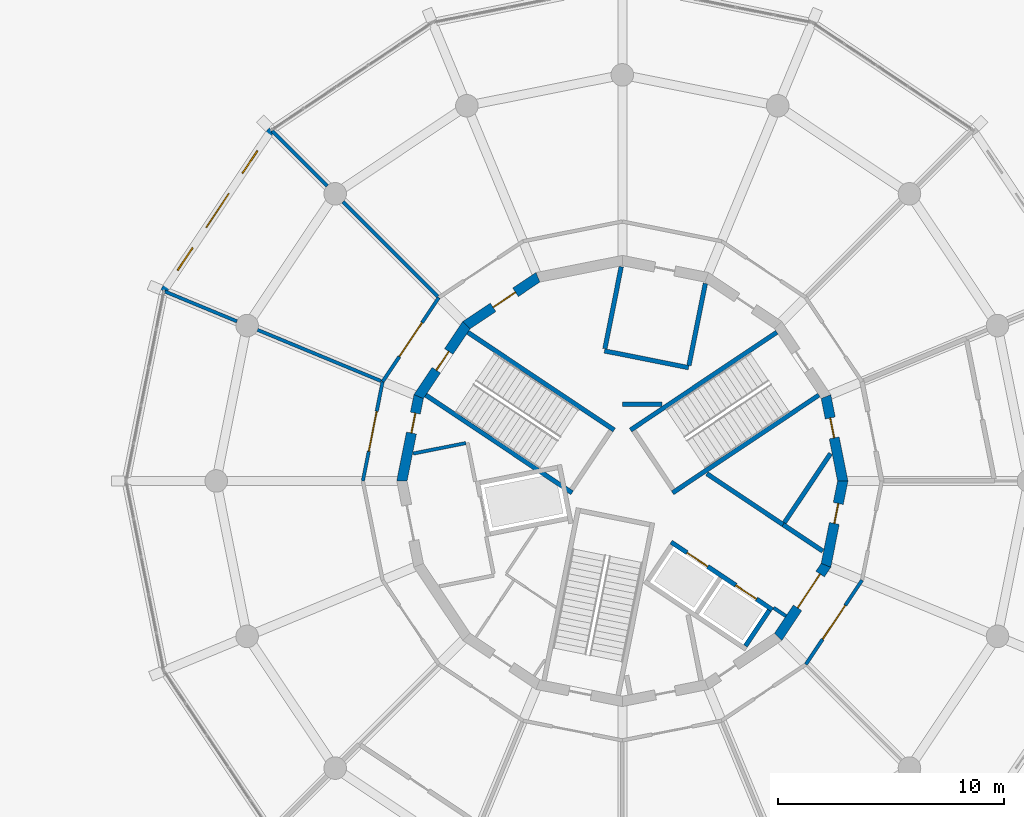
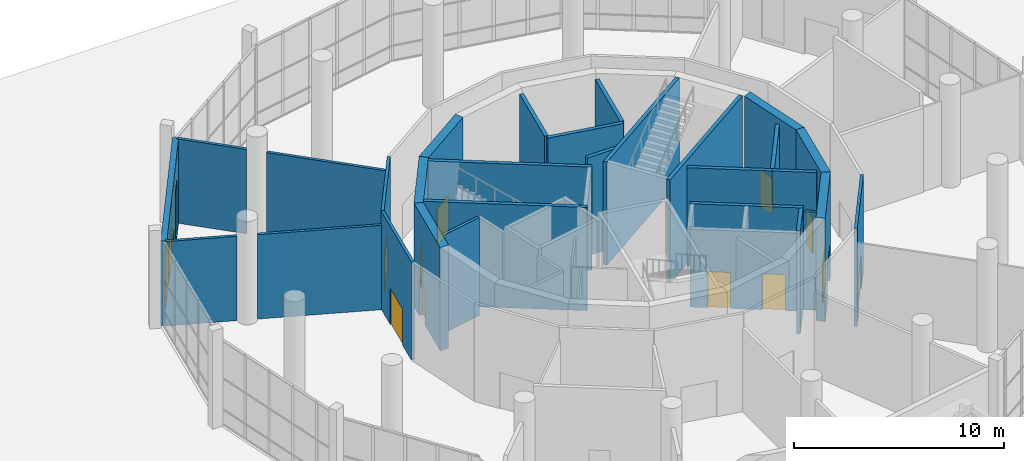
# One storey, part 164 of 226: 29 walls, 12 doors, 2 windows, 14 openings.
"""IFC4 building model written with IfcOpenShell, lengths in metres."""

from ifc_helpers import new_model, si_unit, direction, frame, frame_2d, origin, place, context, subcontext, project, spatial, polyline, rectangle, outline, extrude, material, layer, layer_set, type_object, element, fill, save


model = new_model("IFC4")

# Units and contexts
model_context = context("Model", 3, precision=1e-05, world=origin(), true_north=direction((0.0, 1.0)))
body_context = subcontext(model_context, "Body", "Model", "MODEL_VIEW")
ifc_project = project(units=[si_unit("LENGTHUNIT", "METRE"), si_unit("AREAUNIT", "SQUARE_METRE"), si_unit("VOLUMEUNIT", "CUBIC_METRE"), si_unit("PLANEANGLEUNIT", "RADIAN"), si_unit("MASSUNIT", "GRAM", prefix="KILO")], contexts=[model_context])

# Site, building, storey
site_placement = place(None, origin())
site = spatial("IfcSite", under=ifc_project, at=site_placement, CompositionType="ELEMENT")
building_placement = place(site_placement, origin())
building = spatial("IfcBuilding", under=site, at=building_placement, Name="Ceibo Conservatory and Research Tower", CompositionType="ELEMENT")
storey_placement = place(building_placement, origin())
storey = spatial("IfcBuildingStorey", under=building, at=storey_placement, Name="L00", CompositionType="ELEMENT", Elevation=0.0)

# Wall, opening, door
ifc_material_1 = material(Name="Concrete C40/50", Category="concrete")
ifc_layer_1 = layer(ifc_material_1, 0.449951171875)
ifc_layer_set_1 = layer_set([ifc_layer_1], Name="Concrete C40/50")
wall_type_1 = type_object("IfcWallType", Name="Core wall 450 C40", PredefinedType="SHEAR", material=ifc_layer_set_1)
wall_1_placement = place(storey_placement, frame((57.7705078125, 120.0, 0.0), z_axis=(0.0, 0.0, 1.0), x_axis=(-0.195069197673, 0.98078948206, 0.0)))
wall_1 = element("IfcWall", 1, at=wall_1_placement, inside=storey, type_object=wall_type_1, Name="Core wall L00 01", PredefinedType="SHEAR", context=body_context, shape_type="SweptSolid", body=[
    extrude(outline(polyline([(-0.044677734375, -0.22509765625), (3.85693359375, -0.22509765625), (3.767578125, 0.22509765625), (0.044677734375, 0.22509765625), (-0.044677734375, -0.22509765625)])), origin(), (0.0, 0.0, 1.0), 6.0),
])
opening_1_placement = place(wall_1_placement, frame((1.944580078125, 0.0, 0.0)))
opening_1 = element("IfcOpeningElement", 2, at=opening_1_placement, cuts=wall_1, Name="Opening C00-04", PredefinedType="OPENING", context=body_context, shape_type="SweptSolid", body=[
    extrude(rectangle(XDim=0.89990234375, YDim=2.10009765625, at=frame_2d((0.449951171875, 1.050048828125))), frame((0.0, 0.23486328125, 0.0), z_axis=(0.0, -1.0, 0.0), x_axis=(1.0, 0.0, 0.0)), (0.0, 0.0, 1.0), 0.469970703125),
])
ifc_material_2 = material(Name="Galvanised sheet steel DX51D", Category="steel")
door_type_1 = type_object("IfcDoorType", Name="Riser door 900x2100 EI 60 (right hand)", OperationType="SINGLE_SWING_RIGHT", PredefinedType="DOOR", material=ifc_material_2)
door_1_placement = place(opening_1_placement, origin())
door_1 = element("IfcDoor", 3, at=door_1_placement, inside=storey, type_object=door_type_1, Name="Store door 00", OperationType="SINGLE_SWING_RIGHT", OverallHeight=2.10009765625, OverallWidth=0.89990234375, PredefinedType="DOOR", context=body_context, shape_type="SweptSolid", body=[
    extrude(rectangle(XDim=0.89990234375, YDim=2.10009765625, at=frame_2d((0.449951171875, 1.050048828125))), frame((0.0, 0.02490234375, 0.0), z_axis=(0.0, -1.0, 0.0), x_axis=(1.0, 0.0, 0.0)), (0.0, 0.0, 1.0), 0.050048828125),
])
fill(opening_1, door_1)

wall_2_placement = place(storey_placement, frame((44.260986328125, 129.02685546875, 0.0), z_axis=(0.0, 0.0, 1.0), x_axis=(-0.83148829117, -0.555542277102, 0.0)))
wall_2 = element("IfcWall", 4, at=wall_2_placement, inside=storey, type_object=wall_type_1, Name="Core wall L00 06", PredefinedType="SHEAR", context=body_context, shape_type="SweptSolid", body=[
    extrude(outline(polyline([(-0.044677734375, -0.22509765625), (3.85693359375, -0.22509765625), (3.767578125, 0.22509765625), (0.044677734375, 0.22509765625), (-0.044677734375, -0.22509765625)])), origin(), (0.0, 0.0, 1.0), 6.0),
])
opening_2_placement = place(wall_2_placement, frame((1.19482421875, 0.0, 0.0)))
opening_2 = element("IfcOpeningElement", 5, at=opening_2_placement, cuts=wall_2, Name="Opening C00-08", PredefinedType="OPENING", context=body_context, shape_type="SweptSolid", body=[
    extrude(rectangle(XDim=1.199951171875, YDim=2.10009765625, at=frame_2d((0.60009765625, 1.050048828125))), frame((0.0, 0.23486328125, 0.0), z_axis=(0.0, -1.0, 0.0), x_axis=(1.0, 0.0, 0.0)), (0.0, 0.0, 1.0), 0.469970703125),
])
door_type_2 = type_object("IfcDoorType", Name="Plant room double door 1200x2100 EI 120", OperationType="DOUBLE_DOOR_SINGLE_SWING", PredefinedType="DOOR", material=ifc_material_2)
door_2_placement = place(opening_2_placement, origin())
door_2 = element("IfcDoor", 6, at=door_2_placement, inside=storey, type_object=door_type_2, Name="Plant Room door 00", OperationType="DOUBLE_DOOR_SINGLE_SWING", OverallHeight=2.10009765625, OverallWidth=1.199951171875, PredefinedType="DOOR", context=body_context, shape_type="SweptSolid", body=[
    extrude(rectangle(XDim=1.199951171875, YDim=2.10009765625, at=frame_2d((0.60009765625, 1.050048828125))), frame((0.0, 0.02490234375, 0.0), z_axis=(0.0, -1.0, 0.0), x_axis=(1.0, 0.0, 0.0)), (0.0, 0.0, 1.0), 0.050048828125),
])
fill(opening_2, door_2)

wall_3_placement = place(storey_placement, frame((41.091064453125, 126.908935546875, 0.0), z_axis=(0.0, 0.0, 1.0), x_axis=(-0.555542277102, -0.83148829117, 0.0)))
wall_3 = element("IfcWall", 7, at=wall_3_placement, inside=storey, type_object=wall_type_1, Name="Core wall L00 07", PredefinedType="SHEAR", context=body_context, shape_type="SweptSolid", body=[
    extrude(outline(polyline([(-0.044677734375, -0.22509765625), (3.85693359375, -0.22509765625), (3.767578125, 0.22509765625), (0.044677734375, 0.22509765625), (-0.044677734375, -0.22509765625)])), origin(), (0.0, 0.0, 1.0), 6.0),
])
opening_3_placement = place(wall_3_placement, frame((1.40625, 0.0, 0.0)))
opening_3 = element("IfcOpeningElement", 8, at=opening_3_placement, cuts=wall_3, Name="Opening C00-02", PredefinedType="OPENING", context=body_context, shape_type="SweptSolid", body=[
    extrude(rectangle(XDim=1.0, YDim=2.10009765625, at=frame_2d((0.5, 1.050048828125))), frame((0.0, 0.23486328125, 0.0), z_axis=(0.0, -1.0, 0.0), x_axis=(1.0, 0.0, 0.0)), (0.0, 0.0, 1.0), 0.469970703125),
])
door_type_3 = type_object("IfcDoorType", Name="Stair door 1000x2100 EI 120 (right hand)", OperationType="SINGLE_SWING_RIGHT", PredefinedType="DOOR", material=ifc_material_2)
door_3_placement = place(opening_3_placement, origin())
door_3 = element("IfcDoor", 9, at=door_3_placement, inside=storey, type_object=door_type_3, Name="Stair door ST2 00", OperationType="SINGLE_SWING_RIGHT", OverallHeight=2.10009765625, OverallWidth=1.0, PredefinedType="DOOR", context=body_context, shape_type="SweptSolid", body=[
    extrude(rectangle(XDim=1.0, YDim=2.10009765625, at=frame_2d((0.5, 1.050048828125))), frame((0.0, 0.02490234375, 0.0), z_axis=(0.0, -1.0, 0.0), x_axis=(1.0, 0.0, 0.0)), (0.0, 0.0, 1.0), 0.050048828125),
])
fill(opening_3, door_3)

wall_4_placement = place(storey_placement, frame((38.97314453125, 123.739013671875, 0.0), z_axis=(0.0, 0.0, 1.0), x_axis=(-0.195069197673, -0.98078948206, 0.0)))
wall_4 = element("IfcWall", 10, at=wall_4_placement, inside=storey, type_object=wall_type_1, Name="Core wall L00 08", PredefinedType="SHEAR", context=body_context, shape_type="SweptSolid", body=[
    extrude(outline(polyline([(-0.044677734375, -0.22509765625), (3.85693359375, -0.22509765625), (3.767578125, 0.22509765625), (0.044677734375, 0.22509765625), (-0.044677734375, -0.22509765625)])), origin(), (0.0, 0.0, 1.0), 6.0),
])
opening_4_placement = place(wall_4_placement, frame((0.74462890625, 0.0, 0.0)))
opening_4 = element("IfcOpeningElement", 11, at=opening_4_placement, cuts=wall_4, Name="Opening C00-16", PredefinedType="OPENING", context=body_context, shape_type="SweptSolid", body=[
    extrude(rectangle(XDim=0.89990234375, YDim=2.10009765625, at=frame_2d((0.449951171875, 1.050048828125))), frame((0.0, 0.23486328125, 0.0), z_axis=(0.0, -1.0, 0.0), x_axis=(1.0, 0.0, 0.0)), (0.0, 0.0, 1.0), 0.469970703125),
])
door_type_4 = type_object("IfcDoorType", Name="Door 900x2100 EI 60 (left hand)", OperationType="SINGLE_SWING_LEFT", PredefinedType="DOOR", material=ifc_material_2)
door_4_placement = place(opening_4_placement, origin())
door_4 = element("IfcDoor", 12, at=door_4_placement, inside=storey, type_object=door_type_4, Name="Women WC door 00", OperationType="SINGLE_SWING_LEFT", OverallHeight=2.10009765625, OverallWidth=0.89990234375, PredefinedType="DOOR", context=body_context, shape_type="SweptSolid", body=[
    extrude(rectangle(XDim=0.89990234375, YDim=2.10009765625, at=frame_2d((0.449951171875, 1.050048828125))), frame((0.0, 0.02490234375, 0.0), z_axis=(0.0, -1.0, 0.0), x_axis=(1.0, 0.0, 0.0)), (0.0, 0.0, 1.0), 0.050048828125),
])
fill(opening_4, door_4)

wall_5_placement = place(storey_placement, frame((54.908935546875, 113.091064453125, 0.0), z_axis=(0.0, 0.0, 1.0), x_axis=(0.555542277102, 0.83148829117, 0.0)))
wall_5 = element("IfcWall", 13, at=wall_5_placement, inside=storey, type_object=wall_type_1, Name="Core wall L00 15", PredefinedType="SHEAR", context=body_context, shape_type="SweptSolid", body=[
    extrude(outline(polyline([(-0.044677734375, -0.22509765625), (3.85693359375, -0.22509765625), (3.767578125, 0.22509765625), (0.044677734375, 0.22509765625), (-0.044677734375, -0.22509765625)])), origin(), (0.0, 0.0, 1.0), 6.0),
])
opening_5_placement = place(wall_5_placement, frame((1.544677734375, 0.0, 0.0)))
opening_5 = element("IfcOpeningElement", 14, at=opening_5_placement, cuts=wall_5, Name="Opening C00-13", PredefinedType="OPENING", context=body_context, shape_type="SweptSolid", body=[
    extrude(rectangle(XDim=1.800048828125, YDim=2.10009765625, at=frame_2d((0.89990234375, 1.050048828125))), frame((0.0, 0.23486328125, 0.0), z_axis=(0.0, -1.0, 0.0), x_axis=(1.0, 0.0, 0.0)), (0.0, 0.0, 1.0), 0.469970703125),
])
door_type_5 = type_object("IfcDoorType", Name="Lobby double door 1800x2100 EI 60", OperationType="DOUBLE_DOOR_SINGLE_SWING", PredefinedType="DOOR", material=ifc_material_2)
door_5_placement = place(opening_5_placement, origin())
door_5 = element("IfcDoor", 15, at=door_5_placement, inside=storey, type_object=door_type_5, Name="Lift Lobby door 00", OperationType="DOUBLE_DOOR_SINGLE_SWING", OverallHeight=2.10009765625, OverallWidth=1.800048828125, PredefinedType="DOOR", context=body_context, shape_type="SweptSolid", body=[
    extrude(rectangle(XDim=1.800048828125, YDim=2.10009765625, at=frame_2d((0.89990234375, 1.050048828125))), frame((0.0, 0.02490234375, 0.0), z_axis=(0.0, -1.0, 0.0), x_axis=(1.0, 0.0, 0.0)), (0.0, 0.0, 1.0), 0.050048828125),
])
fill(opening_5, door_5)

wall_6_placement = place(storey_placement, frame((57.02685546875, 116.260986328125, 0.0), z_axis=(0.0, 0.0, 1.0), x_axis=(0.195069197673, 0.98078948206, 0.0)))
wall_6 = element("IfcWall", 16, at=wall_6_placement, inside=storey, type_object=wall_type_1, Name="Core wall L00 16", PredefinedType="SHEAR", context=body_context, shape_type="SweptSolid", body=[
    extrude(outline(polyline([(-0.044677734375, -0.22509765625), (3.85693359375, -0.22509765625), (3.767578125, 0.22509765625), (0.044677734375, 0.22509765625), (-0.044677734375, -0.22509765625)])), origin(), (0.0, 0.0, 1.0), 6.0),
])
opening_6_placement = place(wall_6_placement, frame((1.894775390625, 0.0, 0.0)))
opening_6 = element("IfcOpeningElement", 17, at=opening_6_placement, cuts=wall_6, Name="Opening C00-05", PredefinedType="OPENING", context=body_context, shape_type="SweptSolid", body=[
    extrude(rectangle(XDim=0.89990234375, YDim=2.10009765625, at=frame_2d((0.449951171875, 1.050048828125))), frame((0.0, 0.23486328125, 0.0), z_axis=(0.0, -1.0, 0.0), x_axis=(1.0, 0.0, 0.0)), (0.0, 0.0, 1.0), 0.469970703125),
])
door_6_placement = place(opening_6_placement, frame((0.89990234375, 0.0, 0.0), z_axis=(0.0, 0.0, 1.0), x_axis=(-1.0, 0.0, 0.0)))
door_6 = element("IfcDoor", 18, at=door_6_placement, inside=storey, type_object=door_type_1, Name="Electrical Riser door 00", OperationType="SINGLE_SWING_RIGHT", OverallHeight=2.10009765625, OverallWidth=0.89990234375, PredefinedType="DOOR", context=body_context, shape_type="SweptSolid", body=[
    extrude(rectangle(XDim=0.89990234375, YDim=2.10009765625, at=frame_2d((0.449951171875, 1.050048828125))), frame((0.0, 0.02490234375, 0.0), z_axis=(0.0, -1.0, 0.0), x_axis=(1.0, 0.0, 0.0)), (0.0, 0.0, 1.0), 0.050048828125),
])
fill(opening_6, door_6)

# Walls
ifc_material_3 = material(Name="Plasterboard on metal studs, fire board")
ifc_layer_2 = layer(ifc_material_3, 0.14990234375)
ifc_layer_set_2 = layer_set([ifc_layer_2], Name="Plasterboard on metal studs, fire board")
wall_type_2 = type_object("IfcWallType", Name="Corridor wall 150 EI 60", PredefinedType="PARTITIONING", material=ifc_layer_set_2)
wall_7_placement = place(storey_placement, frame((41.064208984375, 121.67919921875, 0.0), z_axis=(0.0, 0.0, 1.0), x_axis=(-0.980781272394, -0.195110470559, 0.0)))
element("IfcWall", 19, at=wall_7_placement, inside=storey, type_object=wall_type_2, Name="Core partition 00.P007", PredefinedType="PARTITIONING", context=body_context, shape_type="SweptSolid", body=[
    extrude(rectangle(XDim=2.381103515625, YDim=0.14990234375, at=frame_2d((1.1904296875, 0.0))), origin(), (0.0, 0.0, 1.0), 5.699951171875),
])
wall_8_placement = place(storey_placement, frame((54.7060546875, 114.376708984375, 0.0), z_axis=(0.0, 0.0, 1.0), x_axis=(0.831421626399, -0.555642042286, 0.0)))
element("IfcWall", 20, at=wall_8_placement, inside=storey, type_object=wall_type_2, Name="Core partition 00.P019", PredefinedType="PARTITIONING", context=body_context, shape_type="SweptSolid", body=[
    extrude(rectangle(XDim=0.65771484375, YDim=0.14990234375, at=frame_2d((0.328857421875, 0.0))), origin(), (0.0, 0.0, 1.0), 5.699951171875),
])

# Wall, opening, door
wall_9_placement = place(storey_placement, frame((37.37548828125, 124.40087890625, 0.0), z_axis=(0.0, 0.0, 1.0), x_axis=(0.555591382192, 0.831455480489, 0.0)))
wall_9 = element("IfcWall", 21, at=wall_9_placement, inside=storey, type_object=wall_type_2, Name="Partition 00.007", PredefinedType="PARTITIONING", context=body_context, shape_type="SweptSolid", body=[
    extrude(rectangle(XDim=4.487060546875, YDim=0.14990234375, at=frame_2d((2.24365234375, 0.0))), origin(), (0.0, 0.0, 1.0), 5.699951171875),
])
opening_7_placement = place(wall_9_placement, frame((1.343505859375, 0.0, 0.0)))
opening_7 = element("IfcOpeningElement", 22, at=opening_7_placement, cuts=wall_9, Name="Opening T00-08", PredefinedType="OPENING", context=body_context, shape_type="SweptSolid", body=[
    extrude(rectangle(XDim=1.800048828125, YDim=2.10009765625, at=frame_2d((0.89990234375, 1.050048828125))), frame((0.0, 0.0849609375, 0.0), z_axis=(0.0, -1.0, 0.0), x_axis=(1.0, 0.0, 0.0)), (0.0, 0.0, 1.0), 0.169921875),
])
door_type_6 = type_object("IfcDoorType", Name="Door fire double 1800x2100 EI 60", OperationType="DOUBLE_DOOR_SINGLE_SWING", PredefinedType="DOOR", material=ifc_material_2)
door_7_placement = place(opening_7_placement, origin())
door_7 = element("IfcDoor", 23, at=door_7_placement, inside=storey, type_object=door_type_6, Name="Door T00-08", OperationType="DOUBLE_DOOR_SINGLE_SWING", OverallHeight=2.10009765625, OverallWidth=1.800048828125, PredefinedType="DOOR", context=body_context, shape_type="SweptSolid", body=[
    extrude(rectangle(XDim=1.800048828125, YDim=2.10009765625, at=frame_2d((0.89990234375, 1.050048828125))), frame((0.0, 0.02490234375, 0.0), z_axis=(0.0, -1.0, 0.0), x_axis=(1.0, 0.0, 0.0)), (0.0, 0.0, 1.0), 0.050048828125),
])
fill(opening_7, door_7)

wall_10_placement = place(storey_placement, frame((36.5, 120.0, 0.0), z_axis=(0.0, 0.0, 1.0), x_axis=(0.195111553866, 0.980781056887, 0.0)))
wall_10 = element("IfcWall", 24, at=wall_10_placement, inside=storey, type_object=wall_type_2, Name="Partition 00.008", PredefinedType="PARTITIONING", context=body_context, shape_type="SweptSolid", body=[
    extrude(rectangle(XDim=4.487060546875, YDim=0.14990234375, at=frame_2d((2.24365234375, 0.0))), origin(), (0.0, 0.0, 1.0), 5.699951171875),
])
opening_8_placement = place(wall_10_placement, frame((1.34375, 0.0, 0.0)))
opening_8 = element("IfcOpeningElement", 25, at=opening_8_placement, cuts=wall_10, Name="Opening T00-09", PredefinedType="OPENING", context=body_context, shape_type="SweptSolid", body=[
    extrude(rectangle(XDim=1.800048828125, YDim=2.10009765625, at=frame_2d((0.89990234375, 1.050048828125))), frame((0.0, 0.0849609375, 0.0), z_axis=(0.0, -1.0, 0.0), x_axis=(1.0, 0.0, 0.0)), (0.0, 0.0, 1.0), 0.169921875),
])
door_8_placement = place(opening_8_placement, origin())
door_8 = element("IfcDoor", 26, at=door_8_placement, inside=storey, type_object=door_type_6, Name="Door T00-09", OperationType="DOUBLE_DOOR_SINGLE_SWING", OverallHeight=2.10009765625, OverallWidth=1.800048828125, PredefinedType="DOOR", context=body_context, shape_type="SweptSolid", body=[
    extrude(rectangle(XDim=1.800048828125, YDim=2.10009765625, at=frame_2d((0.89990234375, 1.050048828125))), frame((0.0, 0.02490234375, 0.0), z_axis=(0.0, -1.0, 0.0), x_axis=(1.0, 0.0, 0.0)), (0.0, 0.0, 1.0), 0.050048828125),
])
fill(opening_8, door_8)

wall_11_placement = place(storey_placement, frame((58.62451171875, 115.59912109375, 0.0), z_axis=(0.0, 0.0, 1.0), x_axis=(-0.555591382192, -0.831455480489, 0.0)))
wall_11 = element("IfcWall", 27, at=wall_11_placement, inside=storey, type_object=wall_type_2, Name="Partition 00.014", PredefinedType="PARTITIONING", context=body_context, shape_type="SweptSolid", body=[
    extrude(rectangle(XDim=4.487060546875, YDim=0.14990234375, at=frame_2d((2.24365234375, 0.0))), origin(), (0.0, 0.0, 1.0), 5.699951171875),
])
opening_9_placement = place(wall_11_placement, frame((1.343505859375, 0.0, 0.0)))
opening_9 = element("IfcOpeningElement", 28, at=opening_9_placement, cuts=wall_11, Name="Opening T00-01", PredefinedType="OPENING", context=body_context, shape_type="SweptSolid", body=[
    extrude(rectangle(XDim=1.800048828125, YDim=2.10009765625, at=frame_2d((0.89990234375, 1.050048828125))), frame((0.0, 0.0849609375, 0.0), z_axis=(0.0, -1.0, 0.0), x_axis=(1.0, 0.0, 0.0)), (0.0, 0.0, 1.0), 0.169921875),
])
door_9_placement = place(opening_9_placement, frame((1.800048828125, 0.0, 0.0), z_axis=(0.0, 0.0, 1.0), x_axis=(-1.0, 0.0, 0.0)))
door_9 = element("IfcDoor", 29, at=door_9_placement, inside=storey, type_object=door_type_6, Name="Door T00-01", OperationType="DOUBLE_DOOR_SINGLE_SWING", OverallHeight=2.10009765625, OverallWidth=1.800048828125, PredefinedType="DOOR", context=body_context, shape_type="SweptSolid", body=[
    extrude(rectangle(XDim=1.800048828125, YDim=2.10009765625, at=frame_2d((0.89990234375, 1.050048828125))), frame((0.0, 0.02490234375, 0.0), z_axis=(0.0, -1.0, 0.0), x_axis=(1.0, 0.0, 0.0)), (0.0, 0.0, 1.0), 0.050048828125),
])
fill(opening_9, door_9)

# Walls
wall_12_placement = place(storey_placement, frame((34.925537109375, 133.074462890625, 0.0), z_axis=(0.0, 0.0, 1.0), x_axis=(-0.707106781187, 0.707106781187, 0.0)))
element("IfcWall", 30, at=wall_12_placement, inside=storey, type_object=wall_type_2, Name="Partition 00.028", PredefinedType="PARTITIONING", context=body_context, shape_type="SweptSolid", body=[
    extrude(rectangle(XDim=3.448486328125, YDim=0.14990234375, at=frame_2d((1.72412109375, 0.0))), origin(), (0.0, 0.0, 1.0), 4.89990234375),
])
wall_13_placement = place(storey_placement, frame((39.81787109375, 128.18212890625, 0.0), z_axis=(0.0, 0.0, 1.0), x_axis=(-0.707106781187, 0.707106781187, 0.0)))
element("IfcWall", 31, at=wall_13_placement, inside=storey, type_object=wall_type_2, Name="Partition 00.029", PredefinedType="PARTITIONING", context=body_context, shape_type="SweptSolid", body=[
    extrude(rectangle(XDim=5.9384765625, YDim=0.14990234375, at=frame_2d((2.96923828125, 0.0))), origin(), (0.0, 0.0, 1.0), 4.89990234375),
])
wall_14_placement = place(storey_placement, frame((30.91748046875, 127.075927734375, 0.0), z_axis=(0.0, 0.0, 1.0), x_axis=(-0.923891721509, 0.382654004196, 0.0)))
element("IfcWall", 32, at=wall_14_placement, inside=storey, type_object=wall_type_2, Name="Partition 00.030", PredefinedType="PARTITIONING", context=body_context, shape_type="SweptSolid", body=[
    extrude(rectangle(XDim=3.448486328125, YDim=0.14990234375, at=frame_2d((1.72412109375, 0.0))), origin(), (0.0, 0.0, 1.0), 4.89990234375),
])
wall_15_placement = place(storey_placement, frame((37.309326171875, 124.42822265625, 0.0), z_axis=(0.0, 0.0, 1.0), x_axis=(-0.923888564086, 0.382661627487, 0.0)))
element("IfcWall", 33, at=wall_15_placement, inside=storey, type_object=wall_type_2, Name="Partition 00.031", PredefinedType="PARTITIONING", context=body_context, shape_type="SweptSolid", body=[
    extrude(rectangle(XDim=5.9384765625, YDim=0.14990234375, at=frame_2d((2.96923828125, 0.0))), origin(), (0.0, 0.0, 1.0), 4.89990234375),
])
ifc_material_4 = material(Name="Masonry blockwork", Category="masonry")
ifc_layer_3 = layer(ifc_material_4, 0.199951171875)
ifc_layer_set_3 = layer_set([ifc_layer_3], Name="Masonry blockwork")
wall_type_3 = type_object("IfcWallType", Name="Riser wall 200 EI 120", PredefinedType="SOLIDWALL", material=ifc_layer_set_3)
wall_16_placement = place(storey_placement, frame((55.1259765625, 118.06494140625, 0.0), z_axis=(0.0, 0.0, 1.0), x_axis=(-0.831495502265, 0.555531483998, 0.0)))
element("IfcWall", 34, at=wall_16_placement, inside=storey, type_object=wall_type_3, Name="Core partition 00.P001", PredefinedType="SOLIDWALL", context=body_context, shape_type="SweptSolid", body=[
    extrude(rectangle(XDim=4.065185546875, YDim=0.199951171875, at=frame_2d((2.03271484375, 0.0))), origin(), (0.0, 0.0, 1.0), 5.699951171875),
])
wall_17_placement = place(storey_placement, frame((57.23095703125, 121.21533203125, 0.0), z_axis=(0.0, 0.0, 1.0), x_axis=(-0.555600969312, -0.831449074147, 0.0)))
element("IfcWall", 35, at=wall_17_placement, inside=storey, type_object=wall_type_3, Name="Core partition 00.P002", PredefinedType="SOLIDWALL", context=body_context, shape_type="SweptSolid", body=[
    extrude(rectangle(XDim=3.68896484375, YDim=0.199951171875, at=frame_2d((1.844482421875, 0.0))), origin(), (0.0, 0.0, 1.0), 5.699951171875),
])
wall_18_placement = place(storey_placement, frame((56.884765625, 116.8896484375, 0.0), z_axis=(0.0, 0.0, 1.0), x_axis=(-0.831446094913, 0.555605427667, 0.0)))
element("IfcWall", 36, at=wall_18_placement, inside=storey, type_object=wall_type_3, Name="Core partition 00.P003", PredefinedType="SOLIDWALL", context=body_context, shape_type="SweptSolid", body=[
    extrude(rectangle(XDim=2.115234375, YDim=0.199951171875, at=frame_2d((1.0576171875, 0.0))), origin(), (0.0, 0.0, 1.0), 5.699951171875),
])
wall_19_placement = place(storey_placement, frame((50.9365234375, 125.023681640625, 0.0), z_axis=(0.0, 0.0, 1.0), x_axis=(-0.980792608865, 0.195053475731, 0.0)))
element("IfcWall", 37, at=wall_19_placement, inside=storey, type_object=wall_type_3, Name="Core partition 00.P008", PredefinedType="SOLIDWALL", context=body_context, shape_type="SweptSolid", body=[
    extrude(rectangle(XDim=3.800048828125, YDim=0.199951171875, at=frame_2d((1.89990234375, 0.0))), origin(), (0.0, 0.0, 1.0), 5.699951171875),
])
wall_20_placement = place(storey_placement, frame((47.22900390625, 125.863037109375, 0.0), z_axis=(0.0, 0.0, 1.0), x_axis=(0.195076065583, 0.980788116076, 0.0)))
element("IfcWall", 38, at=wall_20_placement, inside=storey, type_object=wall_type_3, Name="Core partition 00.P009", PredefinedType="SOLIDWALL", context=body_context, shape_type="SweptSolid", body=[
    extrude(rectangle(XDim=3.701904296875, YDim=0.199951171875, at=frame_2d((1.85107421875, 0.0))), origin(), (0.0, 0.0, 1.0), 5.699951171875),
])
wall_21_placement = place(storey_placement, frame((51.67822265625, 128.75244140625, 0.0), z_axis=(0.0, 0.0, 1.0), x_axis=(-0.195088684223, -0.980785606179, 0.0)))
element("IfcWall", 39, at=wall_21_placement, inside=storey, type_object=wall_type_3, Name="Core partition 00.P010", PredefinedType="SOLIDWALL", context=body_context, shape_type="SweptSolid", body=[
    extrude(rectangle(XDim=3.70166015625, YDim=0.199951171875, at=frame_2d((1.850830078125, 0.0))), origin(), (0.0, 0.0, 1.0), 5.699951171875),
])
wall_22_placement = place(storey_placement, frame((49.74853515625, 123.39990234375, 0.0), z_axis=(0.0, 0.0, 1.0), x_axis=(-1.0, 0.0, 0.0)))
element("IfcWall", 40, at=wall_22_placement, inside=storey, type_object=wall_type_3, Name="Core partition 00.P011", PredefinedType="SOLIDWALL", context=body_context, shape_type="SweptSolid", body=[
    extrude(rectangle(XDim=1.74853515625, YDim=0.199951171875, at=frame_2d((0.874267578125, 0.0))), origin(), (0.0, 0.0, 1.0), 5.699951171875),
])

# Wall, openings, doors
ifc_layer_4 = layer(ifc_material_1, 0.199951171875)
ifc_layer_set_4 = layer_set([ifc_layer_4], Name="Concrete C40/50")
wall_type_4 = type_object("IfcWallType", Name="Shaft wall 200 C40", PredefinedType="SHEAR", material=ifc_layer_set_4)
wall_23_placement = place(storey_placement, frame((50.160400390625, 117.29345703125, 0.0), z_axis=(0.0, 0.0, 1.0), x_axis=(0.831479497601, -0.55555543834, 0.0)))
wall_23 = element("IfcWall", 41, at=wall_23_placement, inside=storey, type_object=wall_type_4, Name="Shaft wall LRB.F L00", PredefinedType="SHEAR", context=body_context, shape_type="SweptSolid", body=[
    extrude(rectangle(XDim=5.39990234375, YDim=0.199951171875, at=frame_2d((2.699951171875, 0.0))), origin(), (0.0, 0.0, 1.0), 6.0),
])
opening_10_placement = place(wall_23_placement, frame((0.85009765625, 0.0, 0.0)))
opening_10 = element("IfcOpeningElement", 42, at=opening_10_placement, cuts=wall_23, Name="Opening LD-LP1-00", PredefinedType="OPENING", context=body_context, shape_type="SweptSolid", body=[
    extrude(rectangle(XDim=1.10009765625, YDim=2.10009765625, at=frame_2d((0.550048828125, 1.050048828125))), frame((0.0, 0.10986328125, 0.0), z_axis=(0.0, -1.0, 0.0), x_axis=(1.0, 0.0, 0.0)), (0.0, 0.0, 1.0), 0.219970703125),
])
opening_11_placement = place(wall_23_placement, frame((3.4501953125, 0.0, 0.0)))
opening_11 = element("IfcOpeningElement", 43, at=opening_11_placement, cuts=wall_23, Name="Opening LD-LP2-00", PredefinedType="OPENING", context=body_context, shape_type="SweptSolid", body=[
    extrude(rectangle(XDim=1.10009765625, YDim=2.10009765625, at=frame_2d((0.550048828125, 1.050048828125))), frame((0.0, 0.10986328125, 0.0), z_axis=(0.0, -1.0, 0.0), x_axis=(1.0, 0.0, 0.0)), (0.0, 0.0, 1.0), 0.219970703125),
])
ifc_material_5 = material(Name="Stainless steel AISI 316", Category="steel")
door_type_7 = type_object("IfcDoorType", Name="Lift landing door 1100x2100 EI 120", OperationType="SLIDING_TO_LEFT", PredefinedType="DOOR", material=ifc_material_5)
door_10_placement = place(opening_10_placement, origin())
door_10 = element("IfcDoor", 44, at=door_10_placement, inside=storey, type_object=door_type_7, Name="Lift landing door LP1 00", OperationType="SLIDING_TO_LEFT", OverallHeight=2.10009765625, OverallWidth=1.10009765625, PredefinedType="DOOR", context=body_context, shape_type="SweptSolid", body=[
    extrude(rectangle(XDim=1.10009765625, YDim=2.10009765625, at=frame_2d((0.550048828125, 1.050048828125))), frame((0.0, 0.02490234375, 0.0), z_axis=(0.0, -1.0, 0.0), x_axis=(1.0, 0.0, 0.0)), (0.0, 0.0, 1.0), 0.050048828125),
])
fill(opening_10, door_10)
door_11_placement = place(opening_11_placement, origin())
door_11 = element("IfcDoor", 45, at=door_11_placement, inside=storey, type_object=door_type_7, Name="Lift landing door LP2 00", OperationType="SLIDING_TO_LEFT", OverallHeight=2.10009765625, OverallWidth=1.10009765625, PredefinedType="DOOR", context=body_context, shape_type="SweptSolid", body=[
    extrude(rectangle(XDim=1.10009765625, YDim=2.10009765625, at=frame_2d((0.550048828125, 1.050048828125))), frame((0.0, 0.02490234375, 0.0), z_axis=(0.0, -1.0, 0.0), x_axis=(1.0, 0.0, 0.0)), (0.0, 0.0, 1.0), 0.050048828125),
])
fill(opening_11, door_11)

# Wall
wall_24_placement = place(storey_placement, frame((54.51171875, 114.265869140625, 0.0), z_axis=(0.0, 0.0, 1.0), x_axis=(-0.555589423235, -0.83145678949, 0.0)))
element("IfcWall", 46, at=wall_24_placement, inside=storey, type_object=wall_type_4, Name="Shaft wall LRB.X2 L00", PredefinedType="SHEAR", context=body_context, shape_type="SweptSolid", body=[
    extrude(rectangle(XDim=1.900146484375, YDim=0.199951171875, at=frame_2d((0.9501953125, 0.0))), origin(), (0.0, 0.0, 1.0), 6.0),
])

# Wall, openings, door, windows
ifc_material_6 = material(Name="Ceramic mosaic tessera")
ifc_layer_5 = layer(ifc_material_6, 0.010009765625, Name="Ceramic mosaic")
ifc_material_7 = material(Name="Polymer-modified bedding mortar")
ifc_layer_6 = layer(ifc_material_7, 0.014892578125, Name="Bedding mortar")
ifc_material_8 = material(Name="Mineral wool insulation")
ifc_layer_7 = layer(ifc_material_8, 0.050048828125, Name="Insulation")
ifc_material_9 = material(Name="Concrete C30/37", Category="concrete")
ifc_layer_8 = layer(ifc_material_9, 0.215087890625, Name="Reinforced concrete leaf")
ifc_material_10 = material(Name="Gypsum plaster")
ifc_layer_9 = layer(ifc_material_10, 0.010009765625, Name="Internal plaster")
ifc_layer_set_5 = layer_set([ifc_layer_5, ifc_layer_6, ifc_layer_7, ifc_layer_8, ifc_layer_9], Name="Concrete C30/37")
wall_type_5 = type_object("IfcWallType", Name="Stair discharge wall 300", PredefinedType="SOLIDWALL", material=ifc_layer_set_5)
wall_25_placement = place(storey_placement, frame((32.443603515625, 135.556396484375, 0.0), z_axis=(0.0, 0.0, 1.0), x_axis=(-0.555566251771, -0.831472272474, 0.0)))
wall_25 = element("IfcWall", 47, at=wall_25_placement, inside=storey, type_object=wall_type_5, Name="Facade wall L00 facet 7", PredefinedType="SOLIDWALL", context=body_context, shape_type="SweptSolid", body=[
    extrude(outline(polyline([(-0.02978515625, -0.14990234375), (8.614013671875, -0.14990234375), (8.554443359375, 0.14990234375), (0.02978515625, 0.14990234375), (-0.02978515625, -0.14990234375)])), origin(), (0.0, 0.0, 1.0), 4.89990234375),
])
opening_12_placement = place(wall_25_placement, frame((3.39208984375, 0.0, 0.0)))
opening_12 = element("IfcOpeningElement", 48, at=opening_12_placement, cuts=wall_25, Name="Opening E00.02", PredefinedType="OPENING", context=body_context, shape_type="SweptSolid", body=[
    extrude(rectangle(XDim=1.800048828125, YDim=2.10009765625, at=frame_2d((0.89990234375, 1.050048828125))), frame((0.0, 0.159912109375, 0.0), z_axis=(0.0, -1.0, 0.0), x_axis=(1.0, 0.0, 0.0)), (0.0, 0.0, 1.0), 0.320068359375),
])
opening_13_placement = place(wall_25_placement, frame((1.11083984375, 0.0, 0.199951171875)))
opening_13 = element("IfcOpeningElement", 49, at=opening_13_placement, cuts=wall_25, Name="Opening SW4", PredefinedType="OPENING", context=body_context, shape_type="SweptSolid", body=[
    extrude(rectangle(XDim=1.199951171875, YDim=3.199951171875, at=frame_2d((0.60009765625, 1.60009765625))), frame((0.0, 0.159912109375, 0.0), z_axis=(0.0, -1.0, 0.0), x_axis=(1.0, 0.0, 0.0)), (0.0, 0.0, 1.0), 0.320068359375),
])
opening_14_placement = place(wall_25_placement, frame((6.273193359375, 0.0, 0.199951171875)))
opening_14 = element("IfcOpeningElement", 50, at=opening_14_placement, cuts=wall_25, Name="Opening SW4", PredefinedType="OPENING", context=body_context, shape_type="SweptSolid", body=[
    extrude(rectangle(XDim=1.199951171875, YDim=3.199951171875, at=frame_2d((0.60009765625, 1.60009765625))), frame((0.0, 0.159912109375, 0.0), z_axis=(0.0, -1.0, 0.0), x_axis=(1.0, 0.0, 0.0)), (0.0, 0.0, 1.0), 0.320068359375),
])
door_type_8 = type_object("IfcDoorType", Name="Exterior stair exit double door 1800 x 2100", OperationType="DOUBLE_DOOR_SINGLE_SWING", PredefinedType="DOOR", material=ifc_material_2)
door_12_placement = place(opening_12_placement, frame((1.800048828125, 0.0, 0.0), z_axis=(0.0, 0.0, 1.0), x_axis=(-1.0, 0.0, 0.0)))
door_12 = element("IfcDoor", 51, at=door_12_placement, inside=storey, type_object=door_type_8, Name="Stair Exit", OperationType="DOUBLE_DOOR_SINGLE_SWING", OverallHeight=2.10009765625, OverallWidth=1.800048828125, PredefinedType="DOOR", context=body_context, shape_type="SweptSolid", body=[
    extrude(rectangle(XDim=1.800048828125, YDim=2.10009765625, at=frame_2d((0.89990234375, 1.050048828125))), frame((0.0, 0.02490234375, 0.0), z_axis=(0.0, -1.0, 0.0), x_axis=(1.0, 0.0, 0.0)), (0.0, 0.0, 1.0), 0.050048828125),
])
fill(opening_12, door_12)
ifc_material_11 = material(Name="Aluminium frame with double glazing", Category="aluminium")
window_type = type_object("IfcWindowType", Name="Shopfront window SW2 1200 x 3200", PartitioningType="SINGLE_PANEL", PredefinedType="WINDOW", material=ifc_material_11)
window_1_placement = place(opening_13_placement, origin())
window_1 = element("IfcWindow", 52, at=window_1_placement, inside=storey, type_object=window_type, Name="T.L00.F06.WIN.1", OverallHeight=3.199951171875, OverallWidth=1.199951171875, PartitioningType="SINGLE_PANEL", PredefinedType="WINDOW", context=body_context, shape_type="SweptSolid", body=[
    extrude(rectangle(XDim=1.199951171875, YDim=3.199951171875, at=frame_2d((0.60009765625, 1.60009765625))), frame((0.0, 0.030029296875, 0.0), z_axis=(0.0, -1.0, 0.0), x_axis=(1.0, 0.0, 0.0)), (0.0, 0.0, 1.0), 0.06005859375),
])
fill(opening_13, window_1)
window_2_placement = place(opening_14_placement, origin())
window_2 = element("IfcWindow", 53, at=window_2_placement, inside=storey, type_object=window_type, Name="T.L00.F06.WIN.2", OverallHeight=3.199951171875, OverallWidth=1.199951171875, PartitioningType="SINGLE_PANEL", PredefinedType="WINDOW", context=body_context, shape_type="SweptSolid", body=[
    extrude(rectangle(XDim=1.199951171875, YDim=3.199951171875, at=frame_2d((0.60009765625, 1.60009765625))), frame((0.0, 0.030029296875, 0.0), z_axis=(0.0, -1.0, 0.0), x_axis=(1.0, 0.0, 0.0)), (0.0, 0.0, 1.0), 0.06005859375),
])
fill(opening_14, window_2)

# Walls
ifc_layer_10 = layer(ifc_material_1, 0.199951171875)
ifc_layer_set_6 = layer_set([ifc_layer_10], Name="Concrete C40/50")
wall_type_6 = type_object("IfcWallType", Name="Stair wall 200 C40", PredefinedType="SHEAR", material=ifc_layer_set_6)
wall_26_placement = place(storey_placement, frame((48.36474609375, 122.25830078125, 0.0), z_axis=(0.0, 0.0, 1.0), x_axis=(0.831476803301, 0.555559470779, 0.0)))
element("IfcWall", 54, at=wall_26_placement, inside=storey, type_object=wall_type_6, Name="Stair wall ST1.W1 L00", PredefinedType="SHEAR", context=body_context, shape_type="SweptSolid", body=[
    extrude(rectangle(XDim=7.7998046875, YDim=0.199951171875, at=frame_2d((3.89990234375, 0.0))), origin(), (0.0, 0.0, 1.0), 6.0),
])
for number, where, z_axis, x_axis, name in (
    (55, (50.225830078125, 119.472900390625, 0.0), (0.0, 0.0, 1.0), (0.831486463828, 0.555545012102, 0.0), "Stair wall ST1.W2 L00"),
    (56, (45.774169921875, 119.472900390625, 0.0), (0.0, 0.0, 1.0), (-0.831486463828, 0.555545012102, 0.0), "Stair wall ST2.W1 L00"),
):
    element("IfcWall", number, at=place(storey_placement, frame(where, z_axis=z_axis, x_axis=x_axis)), inside=storey, type_object=wall_type_6, Name=name, PredefinedType="SHEAR", context=body_context, shape_type="SweptSolid", body=[
        extrude(rectangle(XDim=7.800048828125, YDim=0.199951171875, at=frame_2d((3.89990234375, 0.0))), origin(), (0.0, 0.0, 1.0), 6.0),
    ])
wall_27_placement = place(storey_placement, frame((47.63525390625, 122.25830078125, 0.0), z_axis=(0.0, 0.0, 1.0), x_axis=(-0.831476803301, 0.555559470779, 0.0)))
element("IfcWall", 57, at=wall_27_placement, inside=storey, type_object=wall_type_6, Name="Stair wall ST2.W2 L00", PredefinedType="SHEAR", context=body_context, shape_type="SweptSolid", body=[
    extrude(rectangle(XDim=7.7998046875, YDim=0.199951171875, at=frame_2d((3.89990234375, 0.0))), origin(), (0.0, 0.0, 1.0), 6.0),
])

save(model, "model.ifc")
